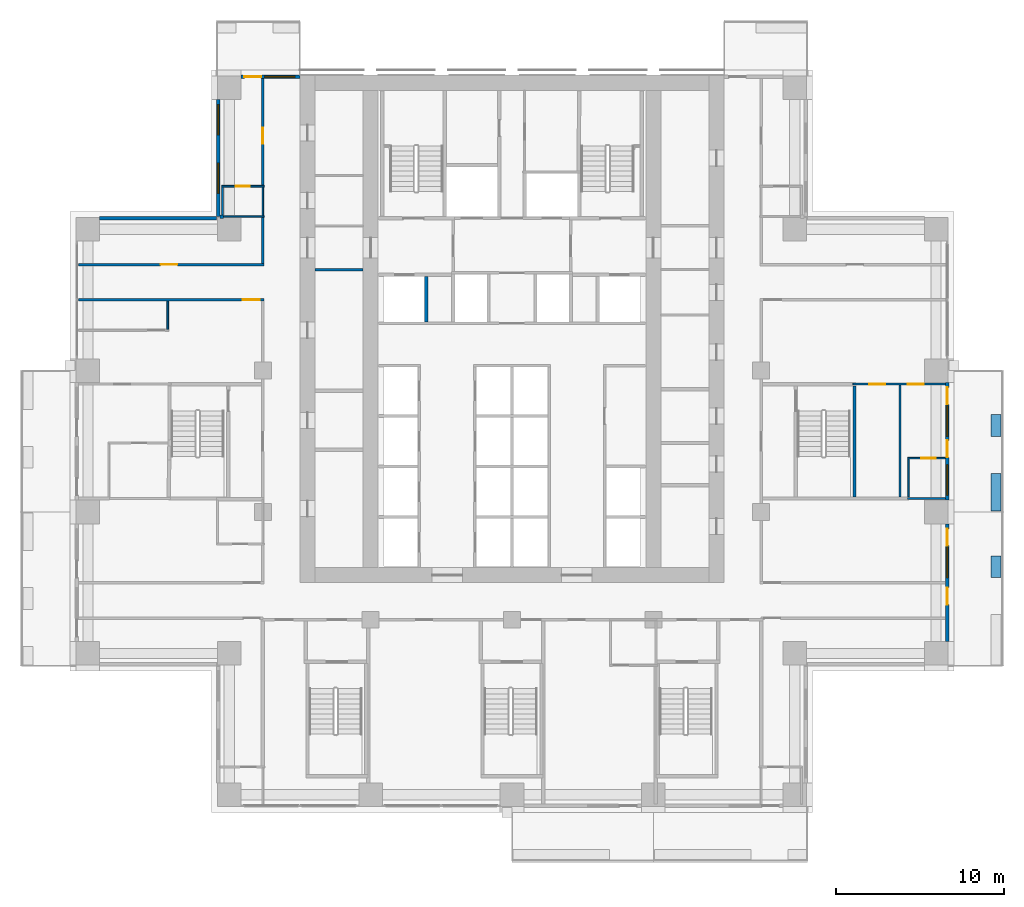
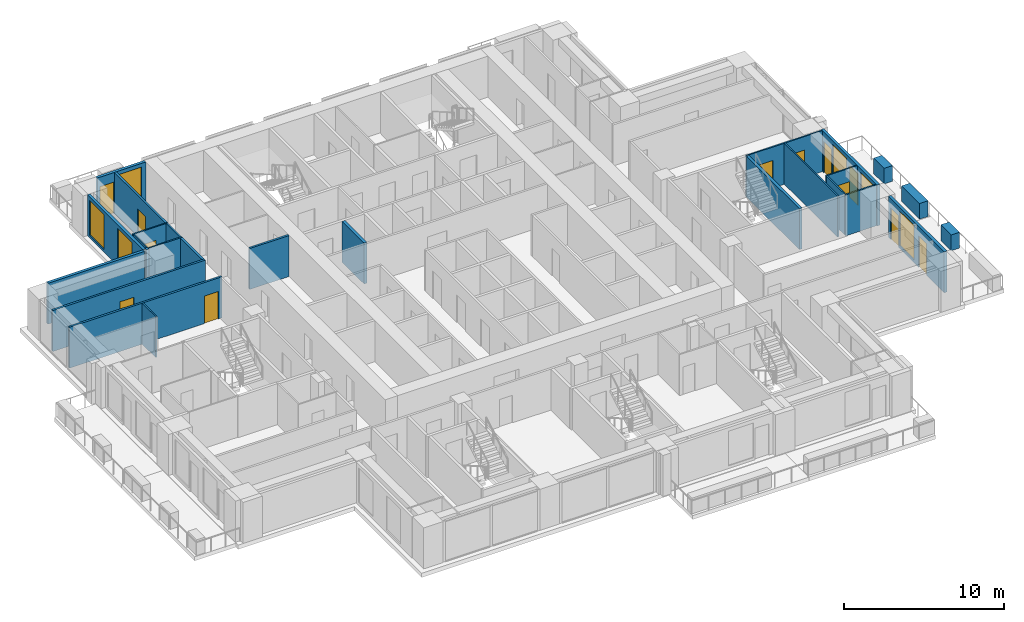
# One storey, part 12 of 17: 26 walls, 12 doors, 6 windows, 18 openings.
"""IFC4 building model written with IfcOpenShell, lengths in metres."""

import ifcopenshell
import ifcopenshell.guid

model = None  # the IFC model being written
_history = None  # IfcOwnerHistory: only IFC2X3 demands one
_inside = {}  # id of a spatial element -> (the spatial element, [elements in it])
_under = {}  # id of a project, library or spatial element -> (it, [spatial elements below it])
_declared = {}  # id of a project -> (the project, [libraries it declares])
_typed = {}  # id of a type object -> (the type object, [elements of that type])
_made_of = {}  # id of a material, layer set ... -> (it, [elements and type objects made of it])


def new_model(schema):
    """Start an empty IFC model of exactly this schema.

    Asked for "IFC4X3", IfcOpenShell would pick the latest addendum, in which some entities
    have other attributes; the version numbers below select the first issue.
    IFC2X3 requires an IfcOwnerHistory on every rooted entity: one is made here for all.
    """
    global model, _history
    if schema == "IFC4X3":
        model = ifcopenshell.file(schema_version=(4, 3, 0, 0))
    else:
        model = ifcopenshell.file(schema=schema)
    _inside.clear()
    _under.clear()
    _declared.clear()
    _typed.clear()
    _made_of.clear()
    _history = None
    if model.schema == "IFC2X3":
        org = make("IfcOrganization", Name="unknown")
        user = make(
            "IfcPersonAndOrganization",
            ThePerson=make("IfcPerson", FamilyName="unknown"),
            TheOrganization=org,
        )
        app = make(
            "IfcApplication",
            ApplicationDeveloper=org,
            Version="unknown",
            ApplicationFullName="unknown",
            ApplicationIdentifier="unknown",
        )
        _history = make(
            "IfcOwnerHistory",
            OwningUser=user,
            OwningApplication=app,
            ChangeAction="ADDED",
            CreationDate=0,
        )
    return model


def make(cls, **values):
    """One entity of the class cls with the attributes given. An attribute that is None is left unset."""
    return model.create_entity(
        cls, **{name: value for name, value in values.items() if value is not None}
    )


def rooted(cls, **values):
    """An entity with a GlobalId (a new one), such as an element, a storey or a relation."""
    return make(cls, GlobalId=ifcopenshell.guid.new(), OwnerHistory=_history, **values)


def si_unit(unit_type, name, prefix=None):
    """IfcSIUnit, for example si_unit("LENGTHUNIT", "METRE", prefix="MILLI")."""
    return make("IfcSIUnit", UnitType=unit_type, Prefix=prefix, Name=name)


def assignment(units):
    """IfcUnitAssignment: the units of a project."""
    return None if units is None else make("IfcUnitAssignment", Units=units)


def point(xyz):
    """IfcCartesianPoint."""
    return None if xyz is None else make("IfcCartesianPoint", Coordinates=xyz)


def direction(xyz):
    """IfcDirection."""
    return None if xyz is None else make("IfcDirection", DirectionRatios=xyz)


def frame(location, z_axis=None, x_axis=None):
    """IfcAxis2Placement3D, a coordinate frame: its origin and axes. An axis left out is left unset."""
    return make(
        "IfcAxis2Placement3D",
        Location=point(location),
        Axis=direction(z_axis),
        RefDirection=direction(x_axis),
    )


def frame_2d(location, x_axis=None):
    """IfcAxis2Placement2D, a coordinate frame in the plane: its origin and x axis."""
    return make(
        "IfcAxis2Placement2D", Location=point(location), RefDirection=direction(x_axis)
    )


def origin():
    """The frame at (0, 0, 0) with its axes left unset."""
    return frame((0.0, 0.0, 0.0))


def place(relative_to, where):
    """IfcLocalPlacement: puts the frame where relative to a parent placement (None: the world)."""
    return make(
        "IfcLocalPlacement", PlacementRelTo=relative_to, RelativePlacement=where
    )


def context(
    kind, dimensions, precision=None, world=None, true_north=None, identifier=None
):
    """IfcGeometricRepresentationContext, for example the 3D "Model" context."""
    return make(
        "IfcGeometricRepresentationContext",
        ContextIdentifier=identifier,
        ContextType=kind,
        CoordinateSpaceDimension=dimensions,
        Precision=precision,
        WorldCoordinateSystem=world,
        TrueNorth=true_north,
    )


def subcontext(parent, identifier, kind, view, scale=None):
    """IfcGeometricRepresentationSubContext, for example "Body" below "Model"."""
    return make(
        "IfcGeometricRepresentationSubContext",
        ContextIdentifier=identifier,
        ContextType=kind,
        ParentContext=parent,
        TargetScale=scale,
        TargetView=view,
    )


def project(units=None, contexts=None):
    """IfcProject with its units and contexts."""
    return rooted(
        "IfcProject",
        Name="project",
        RepresentationContexts=contexts,
        UnitsInContext=assignment(units),
    )


def spatial(cls, under=None, at=None, **own):
    """A site, building, storey or space (cls), placed at a placement, below another one or the project."""
    s = rooted(cls, ObjectPlacement=at, **own)
    if under is not None:
        _under.setdefault(under.id(), (under, []))[1].append(s)
    return s


def profile(cls, at=None, kind="AREA", **sizes):
    """A parametric profile (cls). Its sizes go by their IFC names, for example OverallWidth=200.0."""
    return make(cls, ProfileType=kind, Position=at, **sizes)


def rectangle(**sizes):
    """IfcRectangleProfileDef."""
    return profile("IfcRectangleProfileDef", **sizes)


def extrude(swept, where, along, depth):
    """IfcExtrudedAreaSolid: the profile swept, set in the frame where, extruded along a direction by depth."""
    return make(
        "IfcExtrudedAreaSolid",
        SweptArea=swept,
        Position=where,
        ExtrudedDirection=direction(along),
        Depth=depth,
    )


def shape(context_of_items, identifier, shape_type, items):
    """IfcShapeRepresentation: the items that make up one representation, for example the "Body"."""
    return make(
        "IfcShapeRepresentation",
        ContextOfItems=context_of_items,
        RepresentationIdentifier=identifier,
        RepresentationType=shape_type,
        Items=items,
    )


def material(Name=None, Category=None):
    """IfcMaterial."""
    return make("IfcMaterial", Name=Name, Category=Category)


def layer(
    of_material, thickness, ventilated=None, Name=None, Category=None, Priority=None
):
    """IfcMaterialLayer: one layer of a wall or slab, of a material (None: an air gap)."""
    return make(
        "IfcMaterialLayer",
        Material=of_material,
        LayerThickness=thickness,
        IsVentilated=ventilated,
        Name=Name,
        Category=Category,
        Priority=Priority,
    )


def layer_set(layers, Name=None):
    """IfcMaterialLayerSet."""
    return make("IfcMaterialLayerSet", MaterialLayers=layers, LayerSetName=Name)


def made_of(thing, what):
    """Note that an element or type object is made of a material, layer set ...; save() writes the relation."""
    if what is not None:
        _made_of.setdefault(what.id(), (what, []))[1].append(thing)
    return thing


def type_object(cls, material=None, **own):
    """A type object (cls), such as IfcWallType, which elements share."""
    return made_of(rooted(cls, **own), material)


def element(
    cls,
    number,
    at=None,
    inside=None,
    cuts=None,
    type_object=None,
    material=None,
    context=None,
    identifier="Body",
    shape_type=None,
    held_by="IfcProductDefinitionShape",
    body=None,
    shapes=None,
    **own,
):
    """One element of the class cls, such as IfcWall. Its Tag is "e" and its number.

    at: its placement. inside: the storey or other place that contains it. cuts: it is an
    opening in that element (IfcRelVoidsElement). A single representation is given by context,
    identifier, shape_type and body (its items); several are given by shapes. held_by: the class
    of the entity that holds the representations. save() writes the other relations.
    """
    e = rooted(cls, Tag="e%d" % number, ObjectPlacement=at, **own)
    if body is not None:
        shapes = [shape(context, identifier, shape_type, body)]
    if shapes is not None:
        e.Representation = make(held_by, Representations=shapes)
    if inside is not None:
        _inside.setdefault(inside.id(), (inside, []))[1].append(e)
    if cuts is not None:
        rooted(
            "IfcRelVoidsElement", RelatingBuildingElement=cuts, RelatedOpeningElement=e
        )
    if type_object is not None:
        _typed.setdefault(type_object.id(), (type_object, []))[1].append(e)
    return made_of(e, material)


def fill(opening, filler):
    """IfcRelFillsElement: the door or window that sits in an opening."""
    return rooted(
        "IfcRelFillsElement",
        RelatingOpeningElement=opening,
        RelatedBuildingElement=filler,
    )


def aggregate(whole, parts):
    """IfcRelAggregates: a whole, such as a stair, and the parts it consists of."""
    return rooted("IfcRelAggregates", RelatingObject=whole, RelatedObjects=parts)


def save(model, path):
    """Write the relations noted so far, then the file.

    IfcRelAggregates (storeys below a building ...), IfcRelContainedInSpatialStructure (elements
    in a storey), IfcRelDefinesByType, IfcRelAssociatesMaterial and IfcRelDeclares: one each for
    every whole, place, type object, material and project.
    """
    for whole, parts in _under.values():
        aggregate(whole, parts)
    for where, things in _inside.values():
        rooted(
            "IfcRelContainedInSpatialStructure",
            RelatedElements=things,
            RelatingStructure=where,
        )
    for kind, things in _typed.values():
        rooted("IfcRelDefinesByType", RelatedObjects=things, RelatingType=kind)
    for what, things in _made_of.values():
        rooted("IfcRelAssociatesMaterial", RelatedObjects=things, RelatingMaterial=what)
    for by, libraries in _declared.values():
        rooted("IfcRelDeclares", RelatingContext=by, RelatedDefinitions=libraries)
    model.write(path)


model = new_model("IFC4")

# Units and contexts
model_context = context("Model", 3, precision=1e-05, world=origin(), true_north=direction((0.0, 1.0)))
body_context = subcontext(model_context, "Body", "Model", "MODEL_VIEW")
ifc_project = project(units=[si_unit("LENGTHUNIT", "METRE"), si_unit("AREAUNIT", "SQUARE_METRE"), si_unit("VOLUMEUNIT", "CUBIC_METRE"), si_unit("PLANEANGLEUNIT", "RADIAN"), si_unit("MASSUNIT", "GRAM", prefix="KILO")], contexts=[model_context])

# Site, building, storey
site_placement = place(None, origin())
site = spatial("IfcSite", under=ifc_project, at=site_placement, CompositionType="ELEMENT")
building_placement = place(site_placement, origin())
building = spatial("IfcBuilding", under=site, at=building_placement, Name="Vermilion Ogive Tower", CompositionType="ELEMENT")
storey_placement = place(building_placement, frame((0.0, 0.0, 51.75)))
storey = spatial("IfcBuildingStorey", under=building, at=storey_placement, Name="L11", CompositionType="ELEMENT", Elevation=51.75)

# Wall
ifc_material_1 = material(Name="Gypsum board partition on steel studs", Category="steel")
ifc_layer_1 = layer(ifc_material_1, 0.10009765625)
ifc_layer_set_1 = layer_set([ifc_layer_1], Name="Partition 100 bath")
wall_type_1 = type_object("IfcWallType", Name="Partition 100 bath", PredefinedType="PARTITIONING", material=ifc_layer_set_1)
wall_1_placement = place(storey_placement, frame((23.5, -3.39990234375, 0.0), z_axis=(0.0, 0.0, 1.0), x_axis=(1.0, 0.0, 0.0)))
element("IfcWall", 1, at=wall_1_placement, inside=storey, type_object=wall_type_1, Name="L11-W-W023", PredefinedType="PARTITIONING", context=body_context, shape_type="SweptSolid", body=[
    extrude(rectangle(XDim=2.25, YDim=0.10009765625, at=frame_2d((1.125, 0.0))), origin(), (0.0, 0.0, 1.0), 3.1298828125),
])

# Wall, opening, door
wall_2_placement = place(storey_placement, frame((23.5, -1.0, 0.0), z_axis=(0.0, 0.0, 1.0), x_axis=(1.0, 0.0, 0.0)))
wall_2 = element("IfcWall", 2, at=wall_2_placement, inside=storey, type_object=wall_type_1, Name="L11-W-W024", PredefinedType="PARTITIONING", context=body_context, shape_type="SweptSolid", body=[
    extrude(rectangle(XDim=2.25, YDim=0.10009765625, at=frame_2d((1.125, 0.0))), origin(), (0.0, 0.0, 1.0), 3.1298828125),
])
opening_1_placement = place(wall_2_placement, frame((0.824951171875, 0.0, 0.0)))
opening_1 = element("IfcOpeningElement", 3, at=opening_1_placement, cuts=wall_2, Name="Opening D1G3020", PredefinedType="OPENING", context=body_context, shape_type="SweptSolid", body=[
    extrude(rectangle(XDim=0.85009765625, YDim=2.10009765625, at=frame_2d((0.425048828125, 1.050048828125))), frame((0.0, 0.06005859375, 0.0), z_axis=(0.0, -1.0, 0.0), x_axis=(1.0, 0.0, 0.0)), (0.0, 0.0, 1.0), 0.1201171875),
])
ifc_material_2 = material(Name="Timber door leaf", Category="wood")
door_type_1 = type_object("IfcDoorType", Name="Bath door 850 x 2100 FD30", OperationType="SINGLE_SWING_LEFT", PredefinedType="DOOR", material=ifc_material_2)
door_1_placement = place(opening_1_placement, origin())
door_1 = element("IfcDoor", 4, at=door_1_placement, inside=storey, type_object=door_type_1, Name="L11-D-D020", OperationType="SINGLE_SWING_RIGHT", OverallHeight=2.10009765625, OverallWidth=0.85009765625, PredefinedType="DOOR", context=body_context, shape_type="SweptSolid", body=[
    extrude(rectangle(XDim=0.85009765625, YDim=2.10009765625, at=frame_2d((0.425048828125, 1.050048828125))), frame((0.0, 0.02490234375, 0.0), z_axis=(0.0, -1.0, 0.0), x_axis=(1.0, 0.0, 0.0)), (0.0, 0.0, 1.0), 0.050048828125),
])
fill(opening_1, door_1)

# Wall
wall_3_placement = place(storey_placement, frame((-17.25, 13.35009765625, 0.0), z_axis=(0.0, 0.0, 1.0), x_axis=(1.0, 0.0, 0.0)))
element("IfcWall", 5, at=wall_3_placement, inside=storey, type_object=wall_type_1, Name="L11-W-W036", PredefinedType="PARTITIONING", context=body_context, shape_type="SweptSolid", body=[
    extrude(rectangle(XDim=2.52490234375, YDim=0.10009765625, at=frame_2d((1.262451171875, 0.0))), origin(), (0.0, 0.0, 1.0), 3.1298828125),
])

# Wall, opening, door
wall_4_placement = place(storey_placement, frame((-17.25, 15.14990234375, 0.0), z_axis=(0.0, 0.0, 1.0), x_axis=(1.0, 0.0, 0.0)))
wall_4 = element("IfcWall", 6, at=wall_4_placement, inside=storey, type_object=wall_type_1, Name="L11-W-W039", PredefinedType="PARTITIONING", context=body_context, shape_type="SweptSolid", body=[
    extrude(rectangle(XDim=2.52490234375, YDim=0.10009765625, at=frame_2d((1.262451171875, 0.0))), origin(), (0.0, 0.0, 1.0), 3.1298828125),
])
opening_2_placement = place(wall_4_placement, frame((0.824951171875, 0.0, 0.0)))
opening_2 = element("IfcOpeningElement", 7, at=opening_2_placement, cuts=wall_4, Name="Opening D1G3010", PredefinedType="OPENING", context=body_context, shape_type="SweptSolid", body=[
    extrude(rectangle(XDim=0.85009765625, YDim=2.10009765625, at=frame_2d((0.425048828125, 1.050048828125))), frame((0.0, 0.06005859375, 0.0), z_axis=(0.0, -1.0, 0.0), x_axis=(1.0, 0.0, 0.0)), (0.0, 0.0, 1.0), 0.1201171875),
])
door_2_placement = place(opening_2_placement, origin())
door_2 = element("IfcDoor", 8, at=door_2_placement, inside=storey, type_object=door_type_1, Name="L11-D-D010", OperationType="SINGLE_SWING_RIGHT", OverallHeight=2.10009765625, OverallWidth=0.85009765625, PredefinedType="DOOR", context=body_context, shape_type="SweptSolid", body=[
    extrude(rectangle(XDim=0.85009765625, YDim=2.10009765625, at=frame_2d((0.425048828125, 1.050048828125))), frame((0.0, 0.02490234375, 0.0), z_axis=(0.0, -1.0, 0.0), x_axis=(1.0, 0.0, 0.0)), (0.0, 0.0, 1.0), 0.050048828125),
])
fill(opening_2, door_2)

# Walls
wall_5_placement = place(storey_placement, frame((-17.199951171875, 13.449951171875, 0.0), z_axis=(0.0, 0.0, 1.0), x_axis=(0.0, 1.0, 0.0)))
element("IfcWall", 9, at=wall_5_placement, inside=storey, type_object=wall_type_1, Name="L11-W-W046", PredefinedType="PARTITIONING", context=body_context, shape_type="SweptSolid", body=[
    extrude(rectangle(XDim=1.650146484375, YDim=0.10009765625, at=frame_2d((0.8251953125, 0.0))), origin(), (0.0, 0.0, 1.0), 3.1298828125),
])
wall_6_placement = place(storey_placement, frame((-14.800048828125, 13.39990234375, 0.0), z_axis=(0.0, 0.0, 1.0), x_axis=(0.0, 1.0, 0.0)))
element("IfcWall", 10, at=wall_6_placement, inside=storey, type_object=wall_type_1, Name="L11-W-W054", PredefinedType="PARTITIONING", context=body_context, shape_type="SweptSolid", body=[
    extrude(rectangle(XDim=1.7001953125, YDim=0.10009765625, at=frame_2d((0.85009765625, 0.0))), origin(), (0.0, 0.0, 1.0), 3.1298828125),
])
wall_7_placement = place(storey_placement, frame((23.550048828125, -3.300048828125, 0.0), z_axis=(0.0, 0.0, 1.0), x_axis=(0.0, 1.0, 0.0)))
element("IfcWall", 11, at=wall_7_placement, inside=storey, type_object=wall_type_1, Name="L11-W-W081", PredefinedType="PARTITIONING", context=body_context, shape_type="SweptSolid", body=[
    extrude(rectangle(XDim=2.25, YDim=0.10009765625, at=frame_2d((1.125, 0.0))), origin(), (0.0, 0.0, 1.0), 3.1298828125),
])

# Wall, openings, doors
ifc_material_3 = material(Name="Gypsum board partition on steel studs", Category="steel")
ifc_layer_2 = layer(ifc_material_3, 0.10009765625)
ifc_layer_set_2 = layer_set([ifc_layer_2], Name="Partition 100 inner")
wall_type_2 = type_object("IfcWallType", Name="Partition 100 inner", PredefinedType="PARTITIONING", material=ifc_layer_set_2)
wall_8_placement = place(storey_placement, frame((20.25, 3.39990234375, 0.0), z_axis=(0.0, 0.0, 1.0), x_axis=(1.0, 0.0, 0.0)))
wall_8 = element("IfcWall", 12, at=wall_8_placement, inside=storey, type_object=wall_type_2, Name="L11-W-W029", PredefinedType="PARTITIONING", context=body_context, shape_type="SweptSolid", body=[
    extrude(rectangle(XDim=5.5, YDim=0.10009765625, at=frame_2d((2.75, 0.0))), origin(), (0.0, 0.0, 1.0), 3.1298828125),
])
opening_3_placement = place(wall_8_placement, frame((3.27490234375, 0.0, 0.0)))
opening_3 = element("IfcOpeningElement", 13, at=opening_3_placement, cuts=wall_8, Name="Opening D1G3017", PredefinedType="OPENING", context=body_context, shape_type="SweptSolid", body=[
    extrude(rectangle(XDim=0.949951171875, YDim=2.10009765625, at=frame_2d((0.47509765625, 1.050048828125))), frame((0.0, 0.06005859375, 0.0), z_axis=(0.0, -1.0, 0.0), x_axis=(1.0, 0.0, 0.0)), (0.0, 0.0, 1.0), 0.1201171875),
])
opening_4_placement = place(wall_8_placement, frame((0.97509765625, 0.0, 0.0)))
opening_4 = element("IfcOpeningElement", 14, at=opening_4_placement, cuts=wall_8, Name="Opening D1G3019", PredefinedType="OPENING", context=body_context, shape_type="SweptSolid", body=[
    extrude(rectangle(XDim=0.949951171875, YDim=2.10009765625, at=frame_2d((0.47509765625, 1.050048828125))), frame((0.0, 0.06005859375, 0.0), z_axis=(0.0, -1.0, 0.0), x_axis=(1.0, 0.0, 0.0)), (0.0, 0.0, 1.0), 0.1201171875),
])
ifc_material_4 = material(Name="Timber door leaf", Category="wood")
door_type_2 = type_object("IfcDoorType", Name="Inner door 950 x 2100 FD30", OperationType="SINGLE_SWING_LEFT", PredefinedType="DOOR", material=ifc_material_4)
door_3_placement = place(opening_3_placement, origin())
door_3 = element("IfcDoor", 15, at=door_3_placement, inside=storey, type_object=door_type_2, Name="L11-D-D017", OperationType="SINGLE_SWING_RIGHT", OverallHeight=2.10009765625, OverallWidth=0.949951171875, PredefinedType="DOOR", context=body_context, shape_type="SweptSolid", body=[
    extrude(rectangle(XDim=0.949951171875, YDim=2.10009765625, at=frame_2d((0.47509765625, 1.050048828125))), frame((0.0, 0.02490234375, 0.0), z_axis=(0.0, -1.0, 0.0), x_axis=(1.0, 0.0, 0.0)), (0.0, 0.0, 1.0), 0.050048828125),
])
fill(opening_3, door_3)
door_4_placement = place(opening_4_placement, origin())
door_4 = element("IfcDoor", 16, at=door_4_placement, inside=storey, type_object=door_type_2, Name="L11-D-D019", OperationType="SINGLE_SWING_RIGHT", OverallHeight=2.10009765625, OverallWidth=0.949951171875, PredefinedType="DOOR", context=body_context, shape_type="SweptSolid", body=[
    extrude(rectangle(XDim=0.949951171875, YDim=2.10009765625, at=frame_2d((0.47509765625, 1.050048828125))), frame((0.0, 0.02490234375, 0.0), z_axis=(0.0, -1.0, 0.0), x_axis=(1.0, 0.0, 0.0)), (0.0, 0.0, 1.0), 0.050048828125),
])
fill(opening_4, door_4)

# Walls
wall_9_placement = place(storey_placement, frame((-20.449951171875, 6.64990234375, 0.0), z_axis=(0.0, 0.0, 1.0), x_axis=(0.0, 1.0, 0.0)))
element("IfcWall", 17, at=wall_9_placement, inside=storey, type_object=wall_type_2, Name="L11-W-W042", PredefinedType="PARTITIONING", context=body_context, shape_type="SweptSolid", body=[
    extrude(rectangle(XDim=1.675048828125, YDim=0.10009765625, at=frame_2d((0.83740234375, 0.0))), origin(), (0.0, 0.0, 1.0), 3.1298828125),
])
wall_10_placement = place(storey_placement, frame((23.050048828125, -3.300048828125, 0.0), z_axis=(0.0, 0.0, 1.0), x_axis=(0.0, 1.0, 0.0)))
element("IfcWall", 18, at=wall_10_placement, inside=storey, type_object=wall_type_2, Name="L11-W-W080", PredefinedType="PARTITIONING", context=body_context, shape_type="SweptSolid", body=[
    extrude(rectangle(XDim=6.650146484375, YDim=0.10009765625, at=frame_2d((3.3251953125, 0.0))), origin(), (0.0, 0.0, 1.0), 3.1298828125),
])

# Wall, opening, door
ifc_material_5 = material(Name="Gypsum board partition on steel studs", Category="steel")
ifc_layer_3 = layer(ifc_material_5, 0.14990234375)
ifc_layer_set_3 = layer_set([ifc_layer_3], Name="Partition 150 corridor")
wall_type_3 = type_object("IfcWallType", Name="Partition 150 corridor", PredefinedType="PARTITIONING", material=ifc_layer_set_3)
wall_11_placement = place(storey_placement, frame((-25.75, 8.39990234375, 0.0), z_axis=(0.0, 0.0, 1.0), x_axis=(1.0, 0.0, 0.0)))
wall_11 = element("IfcWall", 19, at=wall_11_placement, inside=storey, type_object=wall_type_3, Name="L11-W-W031", PredefinedType="PARTITIONING", context=body_context, shape_type="SweptSolid", body=[
    extrude(rectangle(XDim=11.02490234375, YDim=0.14990234375, at=frame_2d((5.512451171875, 0.0))), origin(), (0.0, 0.0, 1.0), 3.1298828125),
])
opening_5_placement = place(wall_11_placement, frame((9.75, 0.0, 0.0)))
opening_5 = element("IfcOpeningElement", 20, at=opening_5_placement, cuts=wall_11, Name="Opening D1G3006", PredefinedType="OPENING", context=body_context, shape_type="SweptSolid", body=[
    extrude(rectangle(XDim=1.0, YDim=2.10009765625, at=frame_2d((0.5, 1.050048828125))), frame((0.0, 0.0849609375, 0.0), z_axis=(0.0, -1.0, 0.0), x_axis=(1.0, 0.0, 0.0)), (0.0, 0.0, 1.0), 0.169921875),
])
ifc_material_6 = material(Name="Timber door leaf", Category="wood")
door_type_3 = type_object("IfcDoorType", Name="Unit door 1000 x 2100 FD30S", OperationType="SINGLE_SWING_LEFT", PredefinedType="DOOR", material=ifc_material_6)
door_5_placement = place(opening_5_placement, origin())
door_5 = element("IfcDoor", 21, at=door_5_placement, inside=storey, type_object=door_type_3, Name="L11-D-D006", OperationType="SINGLE_SWING_RIGHT", OverallHeight=2.10009765625, OverallWidth=1.0, PredefinedType="DOOR", context=body_context, shape_type="SweptSolid", body=[
    extrude(rectangle(XDim=1.0, YDim=2.10009765625, at=frame_2d((0.5, 1.050048828125))), frame((0.0, 0.02490234375, 0.0), z_axis=(0.0, -1.0, 0.0), x_axis=(1.0, 0.0, 0.0)), (0.0, 0.0, 1.0), 0.050048828125),
])
fill(opening_5, door_5)

wall_12_placement = place(storey_placement, frame((-25.75, 10.5, 0.0), z_axis=(0.0, 0.0, 1.0), x_axis=(1.0, 0.0, 0.0)))
wall_12 = element("IfcWall", 22, at=wall_12_placement, inside=storey, type_object=wall_type_3, Name="L11-W-W033", PredefinedType="PARTITIONING", context=body_context, shape_type="SweptSolid", body=[
    extrude(rectangle(XDim=11.02490234375, YDim=0.14990234375, at=frame_2d((5.512451171875, 0.0))), origin(), (0.0, 0.0, 1.0), 3.1298828125),
])
opening_6_placement = place(wall_12_placement, frame((4.875, 0.0, 0.0)))
opening_6 = element("IfcOpeningElement", 23, at=opening_6_placement, cuts=wall_12, Name="Opening D1G3035", PredefinedType="OPENING", context=body_context, shape_type="SweptSolid", body=[
    extrude(rectangle(XDim=1.0, YDim=2.10009765625, at=frame_2d((0.5, 1.050048828125))), frame((0.0, 0.0849609375, 0.0), z_axis=(0.0, -1.0, 0.0), x_axis=(1.0, 0.0, 0.0)), (0.0, 0.0, 1.0), 0.169921875),
])
door_6_placement = place(opening_6_placement, origin())
door_6 = element("IfcDoor", 24, at=door_6_placement, inside=storey, type_object=door_type_3, Name="L11-D-D035", OperationType="SINGLE_SWING_RIGHT", OverallHeight=2.10009765625, OverallWidth=1.0, PredefinedType="DOOR", context=body_context, shape_type="SweptSolid", body=[
    extrude(rectangle(XDim=1.0, YDim=2.10009765625, at=frame_2d((0.5, 1.050048828125))), frame((0.0, 0.02490234375, 0.0), z_axis=(0.0, -1.0, 0.0), x_axis=(1.0, 0.0, 0.0)), (0.0, 0.0, 1.0), 0.050048828125),
])
fill(opening_6, door_6)

# Wall
wall_13_placement = place(storey_placement, frame((-14.800048828125, 10.574951171875, 0.0), z_axis=(0.0, 0.0, 1.0), x_axis=(0.0, 1.0, 0.0)))
element("IfcWall", 25, at=wall_13_placement, inside=storey, type_object=wall_type_3, Name="L11-W-W053", PredefinedType="PARTITIONING", context=body_context, shape_type="SweptSolid", body=[
    extrude(rectangle(XDim=2.72509765625, YDim=0.14990234375, at=frame_2d((1.362548828125, 0.0))), origin(), (0.0, 0.0, 1.0), 3.1298828125),
])

# Wall, opening, door
wall_14_placement = place(storey_placement, frame((-14.800048828125, 15.199951171875, 0.0), z_axis=(0.0, 0.0, 1.0), x_axis=(0.0, 1.0, 0.0)))
wall_14 = element("IfcWall", 26, at=wall_14_placement, inside=storey, type_object=wall_type_3, Name="L11-W-W055", PredefinedType="PARTITIONING", context=body_context, shape_type="SweptSolid", body=[
    extrude(rectangle(XDim=6.35009765625, YDim=0.14990234375, at=frame_2d((3.175048828125, 0.0))), origin(), (0.0, 0.0, 1.0), 3.1298828125),
])
opening_7_placement = place(wall_14_placement, frame((2.47509765625, 0.0, 0.0)))
opening_7 = element("IfcOpeningElement", 27, at=opening_7_placement, cuts=wall_14, Name="Opening D1G3009", PredefinedType="OPENING", context=body_context, shape_type="SweptSolid", body=[
    extrude(rectangle(XDim=0.949951171875, YDim=2.10009765625, at=frame_2d((0.47509765625, 1.050048828125))), frame((0.0, 0.0849609375, 0.0), z_axis=(0.0, -1.0, 0.0), x_axis=(1.0, 0.0, 0.0)), (0.0, 0.0, 1.0), 0.169921875),
])
ifc_material_7 = material(Name="Timber door leaf", Category="wood")
door_type_4 = type_object("IfcDoorType", Name="Unit door 950 x 2100 FD30S", OperationType="SINGLE_SWING_LEFT", PredefinedType="DOOR", material=ifc_material_7)
door_7_placement = place(opening_7_placement, origin())
door_7 = element("IfcDoor", 28, at=door_7_placement, inside=storey, type_object=door_type_4, Name="L11-D-D009", OperationType="SINGLE_SWING_RIGHT", OverallHeight=2.10009765625, OverallWidth=0.949951171875, PredefinedType="DOOR", context=body_context, shape_type="SweptSolid", body=[
    extrude(rectangle(XDim=0.949951171875, YDim=2.10009765625, at=frame_2d((0.47509765625, 1.050048828125))), frame((0.0, 0.02490234375, 0.0), z_axis=(0.0, -1.0, 0.0), x_axis=(1.0, 0.0, 0.0)), (0.0, 0.0, 1.0), 0.050048828125),
])
fill(opening_7, door_7)

# Walls
wall_15_placement = place(storey_placement, frame((-11.698974609375, 10.199951171875, 0.0), z_axis=(0.0, 0.0, 1.0), x_axis=(1.0, 0.0, 0.0)))
element("IfcWall", 29, at=wall_15_placement, inside=storey, type_object=wall_type_3, Name="L11-CKW-W-W003", PredefinedType="PARTITIONING", context=body_context, shape_type="SweptSolid", body=[
    extrude(rectangle(XDim=2.847900390625, YDim=0.14990234375, at=frame_2d((1.423828125, 0.0))), origin(), (0.0, 0.0, 1.0), 3.1298828125),
])
ifc_material_8 = material(Name="Gypsum board partition on steel studs", Category="steel")
ifc_layer_4 = layer(ifc_material_8, 0.199951171875)
ifc_layer_set_4 = layer_set([ifc_layer_4], Name="Partition 200 party")
wall_type_4 = type_object("IfcWallType", Name="Partition 200 party", PredefinedType="PARTITIONING", material=ifc_layer_set_4)
wall_16_placement = place(storey_placement, frame((-17.35009765625, 13.35009765625, 0.0), z_axis=(0.0, 0.0, 1.0), x_axis=(1.0, 0.0, 0.0)))
element("IfcWall", 30, at=wall_16_placement, inside=storey, type_object=wall_type_4, Name="L11-W-W035", PredefinedType="PARTITIONING", context=body_context, shape_type="SweptSolid", body=[
    extrude(rectangle(XDim=0.2001953125, YDim=0.199951171875, at=frame_2d((0.10009765625, 0.0))), origin(), (0.0, 0.0, 1.0), 3.1298828125),
])
wall_17_placement = place(storey_placement, frame((-5.10009765625, 7.074951171875, 0.0), z_axis=(0.0, 0.0, 1.0), x_axis=(0.0, 1.0, 0.0)))
element("IfcWall", 31, at=wall_17_placement, inside=storey, type_object=wall_type_4, Name="L11-CK-W-W022", PredefinedType="PARTITIONING", context=body_context, shape_type="SweptSolid", body=[
    extrude(rectangle(XDim=2.72509765625, YDim=0.199951171875, at=frame_2d((1.362548828125, 0.0))), origin(), (0.0, 0.0, 1.0), 3.1298828125),
])
ifc_material_9 = material(Name="Concrete B60", Category="concrete")
ifc_layer_5 = layer(ifc_material_9, 0.199951171875)
ifc_layer_set_5 = layer_set([ifc_layer_5], Name="Stair shaft wall 200 Concrete B60")
wall_type_5 = type_object("IfcWallType", Name="Stair shaft wall 200 Concrete B60", PredefinedType="SOLIDWALL", material=ifc_layer_set_5)
wall_18_placement = place(storey_placement, frame((20.35009765625, -3.300048828125, 0.0), z_axis=(0.0, 0.0, 1.0), x_axis=(0.0, 1.0, 0.0)))
element("IfcWall", 32, at=wall_18_placement, inside=storey, type_object=wall_type_5, Name="L11-W-W079", PredefinedType="SOLIDWALL", context=body_context, shape_type="SweptSolid", body=[
    extrude(rectangle(XDim=6.60009765625, YDim=0.199951171875, at=frame_2d((3.300048828125, 0.0))), origin(), (0.0, 0.0, 1.0), 3.1298828125),
])
ifc_material_10 = material(Name="Concrete B40", Category="concrete")
ifc_layer_6 = layer(ifc_material_10, 0.60009765625)
ifc_layer_set_6 = layer_set([ifc_layer_6], Name="Structural planter")
wall_type_6 = type_object("IfcWallType", Name="Structural planter", PredefinedType="USERDEFINED", material=ifc_layer_set_6)
wall_19_placement = place(storey_placement, frame((28.75, -8.10009765625, -0.0400390625), z_axis=(0.0, 0.0, 1.0), x_axis=(0.0, 1.0, 0.0)))
element("IfcWall", 33, at=wall_19_placement, inside=storey, type_object=wall_type_6, Name="Planter E01A2", ObjectType="PLANTER", PredefinedType="USERDEFINED", context=body_context, shape_type="SweptSolid", body=[
    extrude(rectangle(XDim=1.300048828125, YDim=0.60009765625, at=frame_2d((0.64990234375, 0.0))), origin(), (0.0, 0.0, 1.0), 1.199951171875),
])
wall_20_placement = place(storey_placement, frame((28.75, -4.139892578125, -0.0400390625), z_axis=(0.0, 0.0, 1.0), x_axis=(0.0, 1.0, 0.0)))
element("IfcWall", 34, at=wall_20_placement, inside=storey, type_object=wall_type_6, Name="Planter E02A1", ObjectType="PLANTER", PredefinedType="USERDEFINED", context=body_context, shape_type="SweptSolid", body=[
    extrude(rectangle(XDim=2.239990234375, YDim=0.60009765625, at=frame_2d((1.1201171875, 0.0))), origin(), (0.0, 0.0, 1.0), 1.199951171875),
])
wall_21_placement = place(storey_placement, frame((28.75, 0.300048828125, -0.0400390625), z_axis=(0.0, 0.0, 1.0), x_axis=(0.0, 1.0, 0.0)))
element("IfcWall", 35, at=wall_21_placement, inside=storey, type_object=wall_type_6, Name="Planter E02A2", ObjectType="PLANTER", PredefinedType="USERDEFINED", context=body_context, shape_type="SweptSolid", body=[
    extrude(rectangle(XDim=1.300048828125, YDim=0.60009765625, at=frame_2d((0.64990234375, 0.0))), origin(), (0.0, 0.0, 1.0), 1.199951171875),
])

# Wall, openings, doors, window
ifc_material_11 = material(Name="Aluminium window wall framing", Category="aluminium")
ifc_layer_7 = layer(ifc_material_11, 0.199951171875)
ifc_layer_set_7 = layer_set([ifc_layer_7], Name="Window wall")
wall_type_7 = type_object("IfcWallType", Name="Window wall", PredefinedType="STANDARD", material=ifc_layer_set_7)
wall_22_placement = place(storey_placement, frame((25.85009765625, -11.89990234375, 0.0), z_axis=(0.0, 0.0, 1.0), x_axis=(0.0, 1.0, 0.0)))
wall_22 = element("IfcWall", 36, at=wall_22_placement, inside=storey, type_object=wall_type_7, Name="Window wall E1", PredefinedType="STANDARD", context=body_context, shape_type="SweptSolid", body=[
    extrude(rectangle(XDim=7.0, YDim=0.199951171875, at=frame_2d((3.5, 0.0))), origin(), (0.0, 0.0, 1.0), 3.1298828125),
])
opening_8_placement = place(wall_22_placement, frame((2.199951171875, 0.0, 0.0)))
opening_8 = element("IfcOpeningElement", 37, at=opening_8_placement, cuts=wall_22, Name="Opening D1-E97", PredefinedType="OPENING", context=body_context, shape_type="SweptSolid", body=[
    extrude(rectangle(XDim=1.0, YDim=2.39990234375, at=frame_2d((0.5, 1.199951171875))), frame((0.0, 0.10986328125, 0.0), z_axis=(0.0, -1.0, 0.0), x_axis=(1.0, 0.0, 0.0)), (0.0, 0.0, 1.0), 0.219970703125),
])
opening_9_placement = place(wall_22_placement, frame((3.800048828125, 0.0, 0.199951171875)))
opening_9 = element("IfcOpeningElement", 38, at=opening_9_placement, cuts=wall_22, Name="Opening W1-E98", PredefinedType="OPENING", context=body_context, shape_type="SweptSolid", body=[
    extrude(rectangle(XDim=1.800048828125, YDim=2.64990234375, at=frame_2d((0.89990234375, 1.324951171875))), frame((0.0, 0.10986328125, 0.0), z_axis=(0.0, -1.0, 0.0), x_axis=(1.0, 0.0, 0.0)), (0.0, 0.0, 1.0), 0.219970703125),
])
opening_10_placement = place(wall_22_placement, frame((5.699951171875, 0.0, 0.0)))
opening_10 = element("IfcOpeningElement", 39, at=opening_10_placement, cuts=wall_22, Name="Opening D1-E98", PredefinedType="OPENING", context=body_context, shape_type="SweptSolid", body=[
    extrude(rectangle(XDim=1.0, YDim=2.39990234375, at=frame_2d((0.5, 1.199951171875))), frame((0.0, 0.10986328125, 0.0), z_axis=(0.0, -1.0, 0.0), x_axis=(1.0, 0.0, 0.0)), (0.0, 0.0, 1.0), 0.219970703125),
])
ifc_material_12 = material(Name="Aluminium framed glazed door", Category="aluminium")
door_type_5 = type_object("IfcDoorType", Name="Balcony door D1", OperationType="SINGLE_SWING_LEFT", PredefinedType="DOOR", material=ifc_material_12)
door_8_placement = place(opening_8_placement, origin())
door_8 = element("IfcDoor", 40, at=door_8_placement, inside=storey, type_object=door_type_5, Name="Balcony door E97", OperationType="SINGLE_SWING_LEFT", OverallHeight=2.39990234375, OverallWidth=1.0, PredefinedType="DOOR", context=body_context, shape_type="SweptSolid", body=[
    extrude(rectangle(XDim=1.0, YDim=2.39990234375, at=frame_2d((0.5, 1.199951171875))), frame((0.0, 0.02490234375, 0.0), z_axis=(0.0, -1.0, 0.0), x_axis=(1.0, 0.0, 0.0)), (0.0, 0.0, 1.0), 0.050048828125),
])
fill(opening_8, door_8)
door_9_placement = place(opening_10_placement, origin())
door_9 = element("IfcDoor", 41, at=door_9_placement, inside=storey, type_object=door_type_5, Name="Balcony door E98", OperationType="SINGLE_SWING_LEFT", OverallHeight=2.39990234375, OverallWidth=1.0, PredefinedType="DOOR", context=body_context, shape_type="SweptSolid", body=[
    extrude(rectangle(XDim=1.0, YDim=2.39990234375, at=frame_2d((0.5, 1.199951171875))), frame((0.0, 0.02490234375, 0.0), z_axis=(0.0, -1.0, 0.0), x_axis=(1.0, 0.0, 0.0)), (0.0, 0.0, 1.0), 0.050048828125),
])
fill(opening_10, door_9)
ifc_material_13 = material(Name="Aluminium framed double glazing", Category="aluminium")
window_type = type_object("IfcWindowType", Name="Guest window W1", PartitioningType="SINGLE_PANEL", PredefinedType="WINDOW", material=ifc_material_13)
window_1_placement = place(opening_9_placement, origin())
window_1 = element("IfcWindow", 42, at=window_1_placement, inside=storey, type_object=window_type, Name="Window E98", OverallHeight=2.64990234375, OverallWidth=1.800048828125, PartitioningType="SINGLE_PANEL", PredefinedType="WINDOW", context=body_context, shape_type="SweptSolid", body=[
    extrude(rectangle(XDim=1.800048828125, YDim=2.64990234375, at=frame_2d((0.89990234375, 1.324951171875))), frame((0.0, 0.030029296875, 0.0), z_axis=(0.0, -1.0, 0.0), x_axis=(1.0, 0.0, 0.0)), (0.0, 0.0, 1.0), 0.06005859375),
])
fill(opening_9, window_1)

# Wall, openings, doors, windows
wall_23_placement = place(storey_placement, frame((25.85009765625, -3.5, 0.0), z_axis=(0.0, 0.0, 1.0), x_axis=(0.0, 1.0, 0.0)))
wall_23 = element("IfcWall", 43, at=wall_23_placement, inside=storey, type_object=wall_type_7, Name="Window wall E2", PredefinedType="STANDARD", context=body_context, shape_type="SweptSolid", body=[
    extrude(rectangle(XDim=7.0, YDim=0.199951171875, at=frame_2d((3.5, 0.0))), origin(), (0.0, 0.0, 1.0), 3.1298828125),
])
opening_11_placement = place(wall_23_placement, frame((0.300048828125, 0.0, 0.199951171875)))
opening_11 = element("IfcOpeningElement", 44, at=opening_11_placement, cuts=wall_23, Name="Opening W1-E99", PredefinedType="OPENING", context=body_context, shape_type="SweptSolid", body=[
    extrude(rectangle(XDim=1.800048828125, YDim=2.64990234375, at=frame_2d((0.89990234375, 1.324951171875))), frame((0.0, 0.10986328125, 0.0), z_axis=(0.0, -1.0, 0.0), x_axis=(1.0, 0.0, 0.0)), (0.0, 0.0, 1.0), 0.219970703125),
])
opening_12_placement = place(wall_23_placement, frame((2.550048828125, 0.0, 0.0)))
opening_12 = element("IfcOpeningElement", 45, at=opening_12_placement, cuts=wall_23, Name="Opening D1-E99", PredefinedType="OPENING", context=body_context, shape_type="SweptSolid", body=[
    extrude(rectangle(XDim=1.0, YDim=2.39990234375, at=frame_2d((0.5, 1.199951171875))), frame((0.0, 0.10986328125, 0.0), z_axis=(0.0, -1.0, 0.0), x_axis=(1.0, 0.0, 0.0)), (0.0, 0.0, 1.0), 0.219970703125),
])
opening_13_placement = place(wall_23_placement, frame((3.800048828125, 0.0, 0.199951171875)))
opening_13 = element("IfcOpeningElement", 46, at=opening_13_placement, cuts=wall_23, Name="Opening W1-E00", PredefinedType="OPENING", context=body_context, shape_type="SweptSolid", body=[
    extrude(rectangle(XDim=1.800048828125, YDim=2.64990234375, at=frame_2d((0.89990234375, 1.324951171875))), frame((0.0, 0.10986328125, 0.0), z_axis=(0.0, -1.0, 0.0), x_axis=(1.0, 0.0, 0.0)), (0.0, 0.0, 1.0), 0.219970703125),
])
opening_14_placement = place(wall_23_placement, frame((5.699951171875, 0.0, 0.0)))
opening_14 = element("IfcOpeningElement", 47, at=opening_14_placement, cuts=wall_23, Name="Opening D1-E00", PredefinedType="OPENING", context=body_context, shape_type="SweptSolid", body=[
    extrude(rectangle(XDim=1.0, YDim=2.39990234375, at=frame_2d((0.5, 1.199951171875))), frame((0.0, 0.10986328125, 0.0), z_axis=(0.0, -1.0, 0.0), x_axis=(1.0, 0.0, 0.0)), (0.0, 0.0, 1.0), 0.219970703125),
])
door_10_placement = place(opening_12_placement, origin())
door_10 = element("IfcDoor", 48, at=door_10_placement, inside=storey, type_object=door_type_5, Name="Balcony door E99", OperationType="SINGLE_SWING_LEFT", OverallHeight=2.39990234375, OverallWidth=1.0, PredefinedType="DOOR", context=body_context, shape_type="SweptSolid", body=[
    extrude(rectangle(XDim=1.0, YDim=2.39990234375, at=frame_2d((0.5, 1.199951171875))), frame((0.0, 0.02490234375, 0.0), z_axis=(0.0, -1.0, 0.0), x_axis=(1.0, 0.0, 0.0)), (0.0, 0.0, 1.0), 0.050048828125),
])
fill(opening_12, door_10)
door_11_placement = place(opening_14_placement, origin())
door_11 = element("IfcDoor", 49, at=door_11_placement, inside=storey, type_object=door_type_5, Name="Balcony door E00", OperationType="SINGLE_SWING_LEFT", OverallHeight=2.39990234375, OverallWidth=1.0, PredefinedType="DOOR", context=body_context, shape_type="SweptSolid", body=[
    extrude(rectangle(XDim=1.0, YDim=2.39990234375, at=frame_2d((0.5, 1.199951171875))), frame((0.0, 0.02490234375, 0.0), z_axis=(0.0, -1.0, 0.0), x_axis=(1.0, 0.0, 0.0)), (0.0, 0.0, 1.0), 0.050048828125),
])
fill(opening_14, door_11)
window_2_placement = place(opening_11_placement, origin())
window_2 = element("IfcWindow", 50, at=window_2_placement, inside=storey, type_object=window_type, Name="Window E99", OverallHeight=2.64990234375, OverallWidth=1.800048828125, PartitioningType="SINGLE_PANEL", PredefinedType="WINDOW", context=body_context, shape_type="SweptSolid", body=[
    extrude(rectangle(XDim=1.800048828125, YDim=2.64990234375, at=frame_2d((0.89990234375, 1.324951171875))), frame((0.0, 0.030029296875, 0.0), z_axis=(0.0, -1.0, 0.0), x_axis=(1.0, 0.0, 0.0)), (0.0, 0.0, 1.0), 0.06005859375),
])
fill(opening_11, window_2)
window_3_placement = place(opening_13_placement, origin())
window_3 = element("IfcWindow", 51, at=window_3_placement, inside=storey, type_object=window_type, Name="Window E00", OverallHeight=2.64990234375, OverallWidth=1.800048828125, PartitioningType="SINGLE_PANEL", PredefinedType="WINDOW", context=body_context, shape_type="SweptSolid", body=[
    extrude(rectangle(XDim=1.800048828125, YDim=2.64990234375, at=frame_2d((0.89990234375, 1.324951171875))), frame((0.0, 0.030029296875, 0.0), z_axis=(0.0, -1.0, 0.0), x_axis=(1.0, 0.0, 0.0)), (0.0, 0.0, 1.0), 0.06005859375),
])
fill(opening_13, window_3)

# Wall, openings, door, window
wall_24_placement = place(storey_placement, frame((-12.60009765625, 21.64990234375, 0.0), z_axis=(0.0, 0.0, 1.0), x_axis=(-1.0, 0.0, 0.0)))
wall_24 = element("IfcWall", 52, at=wall_24_placement, inside=storey, type_object=wall_type_7, Name="Window wall N21", PredefinedType="STANDARD", context=body_context, shape_type="SweptSolid", body=[
    extrude(rectangle(XDim=3.5, YDim=0.199951171875, at=frame_2d((1.75, 0.0))), origin(), (0.0, 0.0, 1.0), 3.1298828125),
])
opening_15_placement = place(wall_24_placement, frame((0.300048828125, 0.0, 0.199951171875)))
opening_15 = element("IfcOpeningElement", 53, at=opening_15_placement, cuts=wall_24, Name="Opening W1-N296", PredefinedType="OPENING", context=body_context, shape_type="SweptSolid", body=[
    extrude(rectangle(XDim=1.800048828125, YDim=2.64990234375, at=frame_2d((0.89990234375, 1.324951171875))), frame((0.0, 0.10986328125, 0.0), z_axis=(0.0, -1.0, 0.0), x_axis=(1.0, 0.0, 0.0)), (0.0, 0.0, 1.0), 0.219970703125),
])
opening_16_placement = place(wall_24_placement, frame((2.300048828125, 0.0, 0.0)))
opening_16 = element("IfcOpeningElement", 54, at=opening_16_placement, cuts=wall_24, Name="Opening D1-N296", PredefinedType="OPENING", context=body_context, shape_type="SweptSolid", body=[
    extrude(rectangle(XDim=1.0, YDim=2.39990234375, at=frame_2d((0.5, 1.199951171875))), frame((0.0, 0.10986328125, 0.0), z_axis=(0.0, -1.0, 0.0), x_axis=(1.0, 0.0, 0.0)), (0.0, 0.0, 1.0), 0.219970703125),
])
door_12_placement = place(opening_16_placement, origin())
door_12 = element("IfcDoor", 55, at=door_12_placement, inside=storey, type_object=door_type_5, Name="Balcony door N296", OperationType="SINGLE_SWING_LEFT", OverallHeight=2.39990234375, OverallWidth=1.0, PredefinedType="DOOR", context=body_context, shape_type="SweptSolid", body=[
    extrude(rectangle(XDim=1.0, YDim=2.39990234375, at=frame_2d((0.5, 1.199951171875))), frame((0.0, 0.02490234375, 0.0), z_axis=(0.0, -1.0, 0.0), x_axis=(1.0, 0.0, 0.0)), (0.0, 0.0, 1.0), 0.050048828125),
])
fill(opening_16, door_12)
window_4_placement = place(opening_15_placement, origin())
window_4 = element("IfcWindow", 56, at=window_4_placement, inside=storey, type_object=window_type, Name="Window N296", OverallHeight=2.64990234375, OverallWidth=1.800048828125, PartitioningType="SINGLE_PANEL", PredefinedType="WINDOW", context=body_context, shape_type="SweptSolid", body=[
    extrude(rectangle(XDim=1.800048828125, YDim=2.64990234375, at=frame_2d((0.89990234375, 1.324951171875))), frame((0.0, 0.030029296875, 0.0), z_axis=(0.0, -1.0, 0.0), x_axis=(1.0, 0.0, 0.0)), (0.0, 0.0, 1.0), 0.06005859375),
])
fill(opening_15, window_4)

# Wall, openings, windows
wall_25_placement = place(storey_placement, frame((-17.449951171875, 20.300048828125, 0.0), z_axis=(0.0, 0.0, 1.0), x_axis=(0.0, -1.0, 0.0)))
wall_25 = element("IfcWall", 57, at=wall_25_placement, inside=storey, type_object=wall_type_7, Name="Window wall X51", PredefinedType="STANDARD", context=body_context, shape_type="SweptSolid", body=[
    extrude(rectangle(XDim=6.949951171875, YDim=0.199951171875, at=frame_2d((3.47509765625, 0.0))), origin(), (0.0, 0.0, 1.0), 3.1298828125),
])
opening_17_placement = place(wall_25_placement, frame((3.77490234375, 0.0, 0.199951171875)))
opening_17 = element("IfcOpeningElement", 58, at=opening_17_placement, cuts=wall_25, Name="Opening W1-X503", PredefinedType="OPENING", context=body_context, shape_type="SweptSolid", body=[
    extrude(rectangle(XDim=1.800048828125, YDim=2.64990234375, at=frame_2d((0.89990234375, 1.324951171875))), frame((0.0, 0.10986328125, 0.0), z_axis=(0.0, -1.0, 0.0), x_axis=(1.0, 0.0, 0.0)), (0.0, 0.0, 1.0), 0.219970703125),
])
opening_18_placement = place(wall_25_placement, frame((0.300048828125, 0.0, 0.199951171875)))
opening_18 = element("IfcOpeningElement", 59, at=opening_18_placement, cuts=wall_25, Name="Opening W1-X504", PredefinedType="OPENING", context=body_context, shape_type="SweptSolid", body=[
    extrude(rectangle(XDim=1.800048828125, YDim=2.64990234375, at=frame_2d((0.89990234375, 1.324951171875))), frame((0.0, 0.10986328125, 0.0), z_axis=(0.0, -1.0, 0.0), x_axis=(1.0, 0.0, 0.0)), (0.0, 0.0, 1.0), 0.219970703125),
])
window_5_placement = place(opening_17_placement, origin())
window_5 = element("IfcWindow", 60, at=window_5_placement, inside=storey, type_object=window_type, Name="Window X503", OverallHeight=2.64990234375, OverallWidth=1.800048828125, PartitioningType="SINGLE_PANEL", PredefinedType="WINDOW", context=body_context, shape_type="SweptSolid", body=[
    extrude(rectangle(XDim=1.800048828125, YDim=2.64990234375, at=frame_2d((0.89990234375, 1.324951171875))), frame((0.0, 0.030029296875, 0.0), z_axis=(0.0, -1.0, 0.0), x_axis=(1.0, 0.0, 0.0)), (0.0, 0.0, 1.0), 0.06005859375),
])
fill(opening_17, window_5)
window_6_placement = place(opening_18_placement, origin())
window_6 = element("IfcWindow", 61, at=window_6_placement, inside=storey, type_object=window_type, Name="Window X504", OverallHeight=2.64990234375, OverallWidth=1.800048828125, PartitioningType="SINGLE_PANEL", PredefinedType="WINDOW", context=body_context, shape_type="SweptSolid", body=[
    extrude(rectangle(XDim=1.800048828125, YDim=2.64990234375, at=frame_2d((0.89990234375, 1.324951171875))), frame((0.0, 0.030029296875, 0.0), z_axis=(0.0, -1.0, 0.0), x_axis=(1.0, 0.0, 0.0)), (0.0, 0.0, 1.0), 0.06005859375),
])
fill(opening_18, window_6)

# Wall
wall_26_placement = place(storey_placement, frame((-17.550048828125, 13.25, 0.0), z_axis=(0.0, 0.0, 1.0), x_axis=(-1.0, 0.0, 0.0)))
element("IfcWall", 62, at=wall_26_placement, inside=storey, type_object=wall_type_7, Name="Window wall X61", PredefinedType="STANDARD", context=body_context, shape_type="SweptSolid", body=[
    extrude(rectangle(XDim=6.949951171875, YDim=0.199951171875, at=frame_2d((3.47509765625, 0.0))), origin(), (0.0, 0.0, 1.0), 3.1298828125),
])

save(model, "model.ifc")
